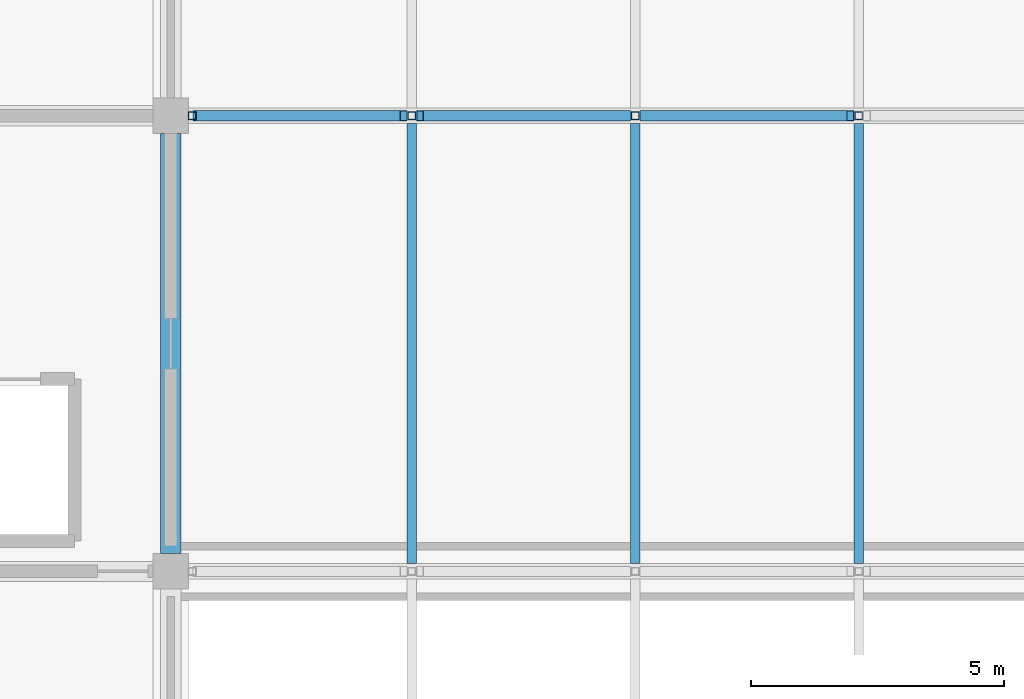
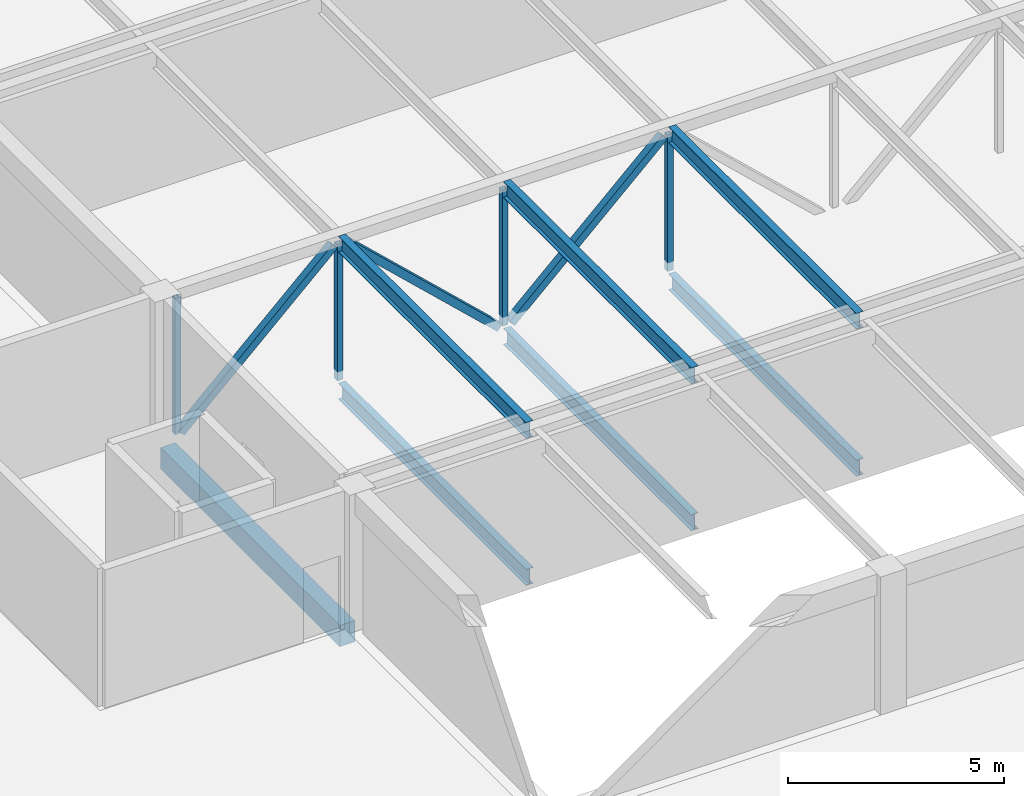
# One storey, part 3 of 30: 7 beams, 7 members.
"""IFC4 building model written with IfcOpenShell, lengths in metres."""

from ifc_helpers import new_model, si_unit, direction, frame, origin, origin_2d, place, context, subcontext, project, spatial, rectangle, hollow_rectangle, i_section, extrude, material, material_profile, profile_set, type_object, element, save


model = new_model("IFC4")

# Units and contexts
model_context = context("Model", 3, precision=1e-05, world=origin(), true_north=direction((0.0, 1.0)))
body_context = subcontext(model_context, "Body", "Model", "MODEL_VIEW")
ifc_project = project(units=[si_unit("LENGTHUNIT", "METRE"), si_unit("AREAUNIT", "SQUARE_METRE"), si_unit("VOLUMEUNIT", "CUBIC_METRE"), si_unit("PLANEANGLEUNIT", "RADIAN"), si_unit("MASSUNIT", "GRAM", prefix="KILO")], contexts=[model_context])

# Site, building, storey
site_placement = place(None, origin())
site = spatial("IfcSite", under=ifc_project, at=site_placement, CompositionType="ELEMENT")
building_placement = place(site_placement, origin())
building = spatial("IfcBuilding", under=site, at=building_placement, Name="Corbel Stack Research Tower", CompositionType="ELEMENT")
storey_placement = place(building_placement, frame((0.0, 0.0, 19.5)))
storey = spatial("IfcBuildingStorey", under=building, at=storey_placement, Name="L04", CompositionType="ELEMENT", Elevation=19.5)

# Beams
ifc_material_1 = material(Name="Concrete C40/50", Category="concrete")
ifc_material_profile_1 = material_profile(ifc_material_1, rectangle(XDim=0.39990234375, YDim=0.60009765625, at=origin_2d()), Name="RC 400 x 600")
ifc_profile_set_1 = profile_set([ifc_material_profile_1], Name="Concrete C40/50")
beam_type_1 = type_object("IfcBeamType", Name="HB1 RC beam 400 x 600", PredefinedType="BEAM", material=ifc_profile_set_1)
beam_placement = place(storey_placement, frame((50.949951171875, -8.64990234375, -0.550048828125), z_axis=(0.0, 1.0, 0.0), x_axis=(-1.0, 0.0, 0.0)))
element("IfcBeam", 1, at=beam_placement, inside=storey, type_object=beam_type_1, Name="Floor beam L04 H3HC-H3HD", PredefinedType="BEAM", context=body_context, shape_type="SweptSolid", body=[
    extrude(rectangle(XDim=0.39990234375, YDim=0.60009765625, at=origin_2d()), origin(), (0.0, 0.0, 1.0), 8.2998046875),
])
ifc_material_2 = material(Name="Steel S355", Category="steel")
ifc_material_profile_2 = material_profile(ifc_material_2, i_section(OverallWidth=0.18994140625, OverallDepth=0.45703125, WebThickness=0.009033203125, FlangeThickness=0.013916015625, at=origin_2d()), Name="W18x50")
ifc_profile_set_2 = profile_set([ifc_material_profile_2], Name="Steel S355")
beam_type_2 = type_object("IfcBeamType", Name="HB3 steel beam W18x50", PredefinedType="BEAM", material=ifc_profile_set_2)
for number, where, z_axis, x_axis, name in (
    (2, (55.71240234375, -8.847412109375, -0.478515625), (0.0, 1.0, 0.0), (-1.0, 0.0, 0.0), "Steel floor beam L04 bay 2 line 1"),
    (3, (60.125, -8.847412109375, -0.478515625), (0.0, 1.0, 0.0), (-1.0, 0.0, 0.0), "Steel floor beam L04 bay 2 line 2"),
    (4, (64.53759765625, -8.847412109375, -0.478515625), (0.0, 1.0, 0.0), (-1.0, 0.0, 0.0), "Steel floor beam L04 bay 2 line 3"),
    (5, (55.71240234375, -8.847412109375, 3.67138671875), (0.0, 1.0, 0.0), (-1.0, 0.0, 0.0), "Steel floor beam R bay 2 line 1"),
    (6, (60.125, -8.847412109375, 3.67138671875), (0.0, 1.0, 0.0), (-1.0, 0.0, 0.0), "Steel floor beam R bay 2 line 2"),
    (7, (64.53759765625, -8.847412109375, 3.67138671875), (0.0, 1.0, 0.0), (-1.0, 0.0, 0.0), "Steel floor beam R bay 2 line 3"),
):
    element("IfcBeam", number, at=place(storey_placement, frame(where, z_axis=z_axis, x_axis=x_axis)), inside=storey, type_object=beam_type_2, Name=name, PredefinedType="BEAM", context=body_context, shape_type="SweptSolid", body=[
        extrude(i_section(OverallWidth=0.18994140625, OverallDepth=0.45703125, WebThickness=0.009033203125, FlangeThickness=0.013916015625, at=origin_2d()), origin(), (0.0, 0.0, 1.0), 8.69482421875),
    ])

# Members
ifc_material_3 = material(Name="Steel S355", Category="steel")
ifc_material_profile_3 = material_profile(ifc_material_3, hollow_rectangle(XDim=0.202880859375, YDim=0.202880859375, WallThickness=0.0087890625, at=origin_2d()), Name="HSS8x8x3/8")
ifc_profile_set_3 = profile_set([ifc_material_profile_3], Name="Steel S355")
member_type_1 = type_object("IfcMemberType", Name="HT2 truss diagonal HSS8x8x3/8", PredefinedType="BRACE", material=ifc_profile_set_3)
for number, where, z_axis, x_axis, name in (
    (8, (51.462158203125, 0.0, -0.25), (0.728438769744, 0.0, 0.685110909805), (0.0, 1.0, 0.0), "Truss TB2 diagonal 1"),
    (9, (55.874755859375, 0.0, 3.594970703125), (0.728438769744, 0.0, -0.685110909805), (0.0, 1.0, 0.0), "Truss TB2 diagonal 2"),
    (10, (60.287109375, 0.0, -0.25), (0.728438769744, 0.0, 0.685110909805), (0.0, 1.0, 0.0), "Truss TB2 diagonal 3"),
):
    element("IfcMember", number, at=place(storey_placement, frame(where, z_axis=z_axis, x_axis=x_axis)), inside=storey, type_object=member_type_1, Name=name, PredefinedType="BRACE", context=body_context, shape_type="SweptSolid", body=[
        extrude(hollow_rectangle(XDim=0.202880859375, YDim=0.202880859375, WallThickness=0.0087890625, at=origin_2d()), origin(), (0.0, 0.0, 1.0), 5.6123046875),
    ])
ifc_material_4 = material(Name="Steel S355", Category="steel")
ifc_material_profile_4 = material_profile(ifc_material_4, hollow_rectangle(XDim=0.152099609375, YDim=0.152099609375, WallThickness=0.005859375, at=origin_2d()), Name="HSS6x6x1/4")
ifc_profile_set_4 = profile_set([ifc_material_profile_4], Name="Steel S355")
member_type_2 = type_object("IfcMemberType", Name="HT3 truss post HSS6x6x1/4", PredefinedType="POST", material=ifc_profile_set_4)
for number, where, z_axis, x_axis, name in (
    (11, (51.3759765625, 0.0, -0.25), (0.0, 0.0, 1.0), (1.0, 0.0, 0.0), "Truss TB2 post 1"),
    (12, (55.71240234375, 0.0, -0.25), (0.0, 0.0, 1.0), (1.0, 0.0, 0.0), "Truss TB2 post 2"),
    (13, (60.125, 0.0, -0.25), (0.0, 0.0, 1.0), (1.0, 0.0, 0.0), "Truss TB2 post 3"),
    (14, (64.53759765625, 0.0, -0.25), (0.0, 0.0, 1.0), (1.0, 0.0, 0.0), "Truss TB2 post 4"),
):
    element("IfcMember", number, at=place(storey_placement, frame(where, z_axis=z_axis, x_axis=x_axis)), inside=storey, type_object=member_type_2, Name=name, PredefinedType="POST", context=body_context, shape_type="SweptSolid", body=[
        extrude(hollow_rectangle(XDim=0.152099609375, YDim=0.152099609375, WallThickness=0.005859375, at=origin_2d()), origin(), (0.0, 0.0, 1.0), 3.844970703125),
    ])

save(model, "model.ifc")
